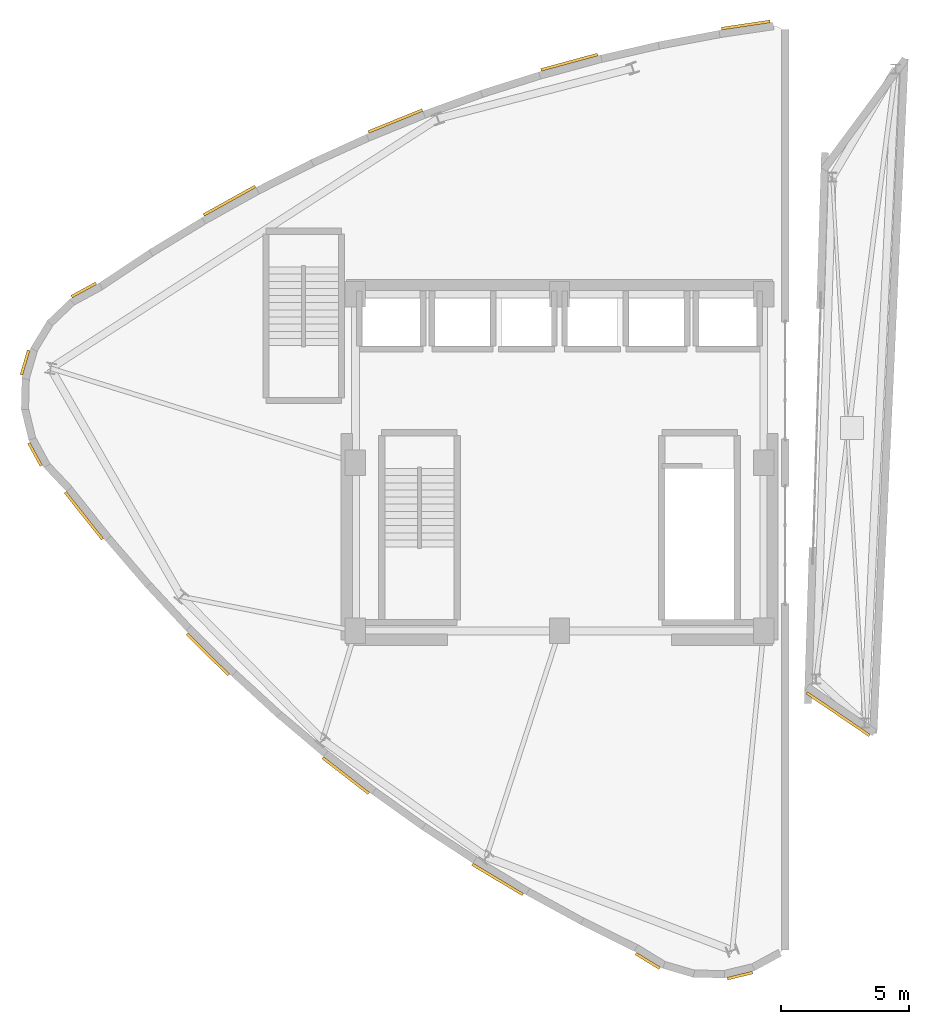
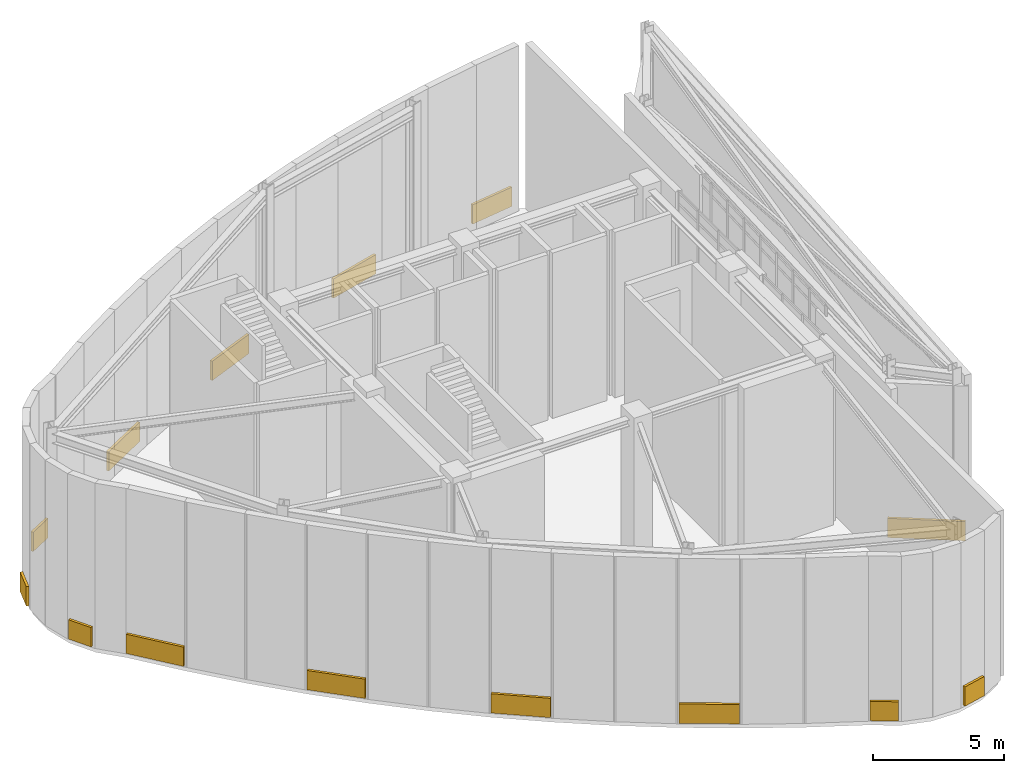
# One storey, part 12 of 12: 14 coverings.
"""IFC4 building model written with IfcOpenShell, lengths in metres."""

from ifc_helpers import new_model, si_unit, direction, frame, origin, origin_2d, place, context, subcontext, project, spatial, rectangle, extrude, material, layer, layer_set, type_object, element, save


model = new_model("IFC4")

# Units and contexts
model_context = context("Model", 3, precision=1e-05, world=origin(), true_north=direction((0.0, 1.0)))
body_context = subcontext(model_context, "Body", "Model", "MODEL_VIEW")
ifc_project = project(units=[si_unit("LENGTHUNIT", "METRE"), si_unit("AREAUNIT", "SQUARE_METRE"), si_unit("VOLUMEUNIT", "CUBIC_METRE"), si_unit("PLANEANGLEUNIT", "RADIAN"), si_unit("MASSUNIT", "GRAM", prefix="KILO")], contexts=[model_context])

# Site, building, storey
site_placement = place(None, origin())
site = spatial("IfcSite", under=ifc_project, at=site_placement, CompositionType="ELEMENT")
building_placement = place(site_placement, origin())
building = spatial("IfcBuilding", under=site, at=building_placement, Name="Ndelora Gate Hotel", CompositionType="ELEMENT")
storey_placement = place(building_placement, frame((0.0, 0.0, 303.60009765625)))
storey = spatial("IfcBuildingStorey", under=building, at=storey_placement, Name="RF1", CompositionType="ELEMENT", Elevation=303.60009765625)

# Coverings
ifc_material = material(Name="Terracotta Fired Clay Brick Slip Cladding", Category="masonry")
ifc_layer = layer(ifc_material, 0.110107421875)
ifc_layer_set = layer_set([ifc_layer], Name="Terracotta Fired Clay Brick Slip Cladding")
covering_type = type_object("IfcCoveringType", Name="COV-CLAD-BRK", PredefinedType="CLADDING", material=ifc_layer_set)
covering_1_placement = place(storey_placement, frame((-18.648193359375, 6.771484375, 0.099853515625), z_axis=(0.0, 0.0, 1.0), x_axis=(0.878150016915, 0.478385354909, 0.0)))
element("IfcCovering", 1, at=covering_1_placement, inside=storey, type_object=covering_type, Name="RF1 Rounded-Corner Brick Cladding Band 1", PredefinedType="CLADDING", context=body_context, shape_type="SweptSolid", body=[
    extrude(rectangle(XDim=1.09912109375, YDim=0.110107421875, at=origin_2d()), origin(), (0.0, 0.0, 1.0), 0.89990234375),
])
for number, where, z_axis, x_axis, name in (
    (2, (-20.954345703125, 3.9248046875, 0.099853515625), (0.0, 0.0, 1.0), (0.282508884416, 0.959264682049, 0.0), "RF1 Rounded-Corner Brick Cladding Band 7"),
    (3, (-20.560302734375, 0.321044921875, 0.099853515625), (0.0, 0.0, 1.0), (-0.478538613714, 0.878066509545, 0.0), "RF1 Rounded-Corner Brick Cladding Band 13"),
):
    element("IfcCovering", number, at=place(storey_placement, frame(where, z_axis=z_axis, x_axis=x_axis)), inside=storey, type_object=covering_type, Name=name, PredefinedType="CLADDING", context=body_context, shape_type="SweptSolid", body=[
        extrude(rectangle(XDim=1.01611328125, YDim=0.110107421875, at=origin_2d()), origin(), (0.0, 0.0, 1.0), 0.89990234375),
    ])
covering_2_placement = place(storey_placement, frame((-18.64453125, -2.084228515625, 0.099853515625), z_axis=(0.0, 0.0, 1.0), x_axis=(-0.62169475011, 0.783259623423, 0.0)))
element("IfcCovering", 4, at=covering_2_placement, inside=storey, type_object=covering_type, Name="RF1 Rounded-Corner Brick Cladding Band 16", PredefinedType="CLADDING", context=body_context, shape_type="SweptSolid", body=[
    extrude(rectangle(XDim=2.35595703125, YDim=0.110107421875, at=origin_2d()), origin(), (0.0, 0.0, 1.0), 0.89990234375),
])
covering_3_placement = place(storey_placement, frame((-13.786865234375, -7.518310546875, 0.099853515625), z_axis=(0.0, 0.0, 1.0), x_axis=(-0.709816657042, 0.704386480127, 0.0)))
element("IfcCovering", 5, at=covering_3_placement, inside=storey, type_object=covering_type, Name="RF1 Rounded-Corner Brick Cladding Band 19", PredefinedType="CLADDING", context=body_context, shape_type="SweptSolid", body=[
    extrude(rectangle(XDim=2.301025390625, YDim=0.110107421875, at=origin_2d()), origin(), (0.0, 0.0, 1.0), 0.89990234375),
])
covering_4_placement = place(storey_placement, frame((-8.381591796875, -12.269287109375, 0.099853515625), z_axis=(0.0, 0.0, 1.0), x_axis=(-0.789833986695, 0.613320693815, 0.0)))
element("IfcCovering", 6, at=covering_4_placement, inside=storey, type_object=covering_type, Name="RF1 Rounded-Corner Brick Cladding Band 22", PredefinedType="CLADDING", context=body_context, shape_type="SweptSolid", body=[
    extrude(rectangle(XDim=2.2890625, YDim=0.110107421875, at=origin_2d()), origin(), (0.0, 0.0, 1.0), 0.89990234375),
])
covering_5_placement = place(storey_placement, frame((-2.426025390625, -16.340087890625, 0.099853515625), z_axis=(0.0, 0.0, 1.0), x_axis=(-0.857885593737, 0.513840741921, 0.0)))
element("IfcCovering", 7, at=covering_5_placement, inside=storey, type_object=covering_type, Name="RF1 Rounded-Corner Brick Cladding Band 25", PredefinedType="CLADDING", context=body_context, shape_type="SweptSolid", body=[
    extrude(rectangle(XDim=2.31298828125, YDim=0.110107421875, at=origin_2d()), origin(), (0.0, 0.0, 1.0), 0.89990234375),
])
covering_6_placement = place(storey_placement, frame((3.459716796875, -19.53564453125, 0.099853515625), z_axis=(0.0, 0.0, 1.0), x_axis=(-0.853368878608, 0.521307545528, 0.0)))
element("IfcCovering", 8, at=covering_6_placement, inside=storey, type_object=covering_type, Name="RF1 Rounded-Corner Brick Cladding Band 28", PredefinedType="CLADDING", context=body_context, shape_type="SweptSolid", body=[
    extrude(rectangle(XDim=1.09912109375, YDim=0.110107421875, at=origin_2d()), origin(), (0.0, 0.0, 1.0), 0.89990234375),
])
covering_7_placement = place(storey_placement, frame((7.078125, -20.109375, 0.099853515625), z_axis=(0.0, 0.0, 1.0), x_axis=(0.972002025815, 0.234972470325, 0.0)))
element("IfcCovering", 9, at=covering_7_placement, inside=storey, type_object=covering_type, Name="RF1 Rounded-Corner Brick Cladding Band 34", PredefinedType="CLADDING", context=body_context, shape_type="SweptSolid", body=[
    extrude(rectangle(XDim=1.01611328125, YDim=0.110107421875, at=origin_2d()), origin(), (0.0, 0.0, 1.0), 0.89990234375),
])
covering_8_placement = place(storey_placement, frame((7.303955078125, 17.1572265625, 0.099853515625), z_axis=(0.0, 0.0, 1.0), x_axis=(0.989170106698, 0.146773635283, 0.0)))
element("IfcCovering", 10, at=covering_8_placement, inside=storey, type_object=covering_type, Name="RF1 Rounded-Corner Brick Cladding Band 52", PredefinedType="CLADDING", context=body_context, shape_type="SweptSolid", body=[
    extrude(rectangle(XDim=1.924072265625, YDim=0.110107421875, at=origin_2d()), origin(), (0.0, 0.0, 1.0), 0.89990234375),
])
covering_9_placement = place(storey_placement, frame((0.38232421875, 15.698974609375, 0.099853515625), z_axis=(0.0, 0.0, 1.0), x_axis=(0.964924914393, 0.262526016964, 0.0)))
element("IfcCovering", 11, at=covering_9_placement, inside=storey, type_object=covering_type, Name="RF1 Rounded-Corner Brick Cladding Band 55", PredefinedType="CLADDING", context=body_context, shape_type="SweptSolid", body=[
    extrude(rectangle(XDim=2.301025390625, YDim=0.110107421875, at=origin_2d()), origin(), (0.0, 0.0, 1.0), 0.89990234375),
])
covering_10_placement = place(storey_placement, frame((-6.434814453125, 13.393310546875, 0.099853515625), z_axis=(0.0, 0.0, 1.0), x_axis=(0.926068294858, 0.377355950342, 0.0)))
element("IfcCovering", 12, at=covering_10_placement, inside=storey, type_object=covering_type, Name="RF1 Rounded-Corner Brick Cladding Band 58", PredefinedType="CLADDING", context=body_context, shape_type="SweptSolid", body=[
    extrude(rectangle(XDim=2.2890625, YDim=0.110107421875, at=origin_2d()), origin(), (0.0, 0.0, 1.0), 0.89990234375),
])
covering_11_placement = place(storey_placement, frame((-12.93798828125, 10.271240234375, 0.099853515625), z_axis=(0.0, 0.0, 1.0), x_axis=(0.873941932872, 0.486030346756, 0.0)))
element("IfcCovering", 13, at=covering_11_placement, inside=storey, type_object=covering_type, Name="RF1 Rounded-Corner Brick Cladding Band 61", PredefinedType="CLADDING", context=body_context, shape_type="SweptSolid", body=[
    extrude(rectangle(XDim=2.31298828125, YDim=0.110107421875, at=origin_2d()), origin(), (0.0, 0.0, 1.0), 0.89990234375),
])
covering_12_placement = place(storey_placement, frame((10.920654296875, -9.859375, 0.099853515625), z_axis=(0.0, 0.0, 1.0), x_axis=(-0.826884319778, 0.562372049186, 0.0)))
element("IfcCovering", 14, at=covering_12_placement, inside=storey, type_object=covering_type, Name="RF1 Rounded-Corner Brick Cladding Band 1", PredefinedType="CLADDING", context=body_context, shape_type="SweptSolid", body=[
    extrude(rectangle(XDim=2.98291015625, YDim=0.110107421875, at=origin_2d()), origin(), (0.0, 0.0, 1.0), 0.89990234375),
])

save(model, "model.ifc")
